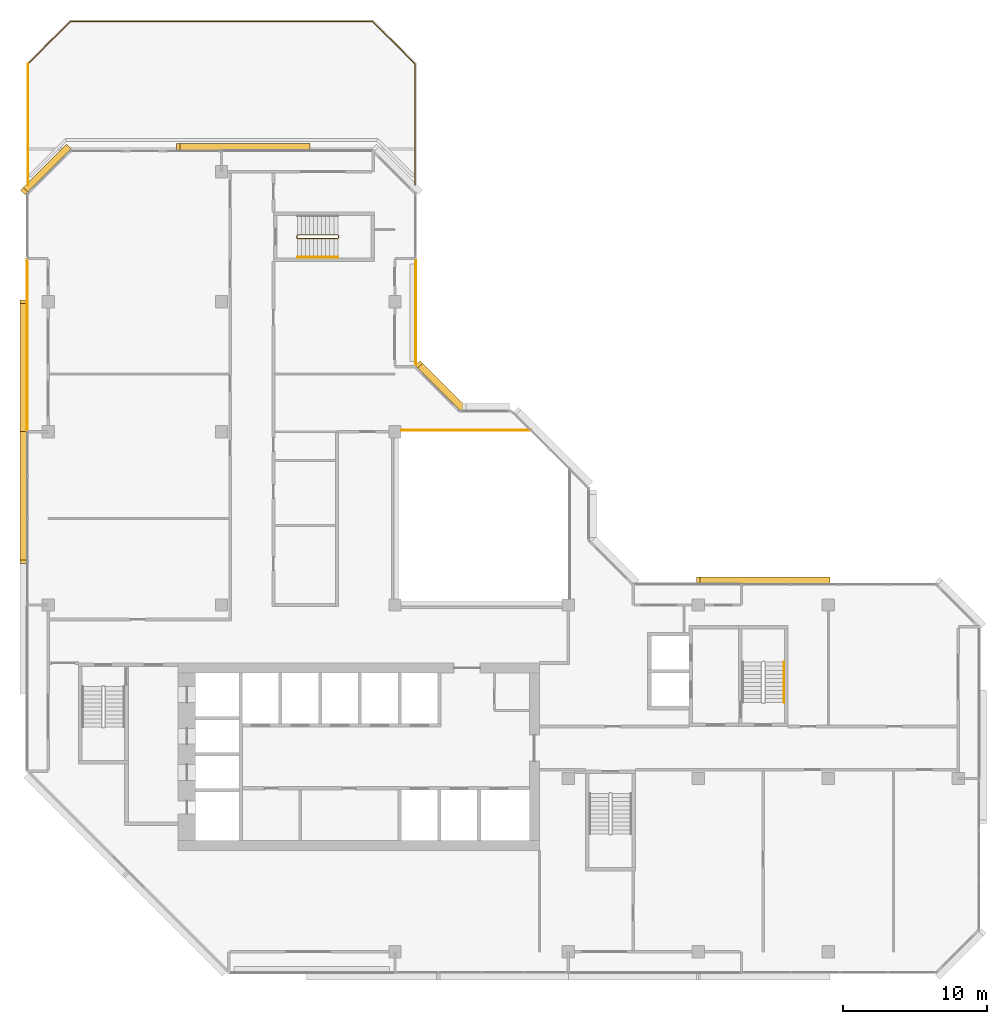
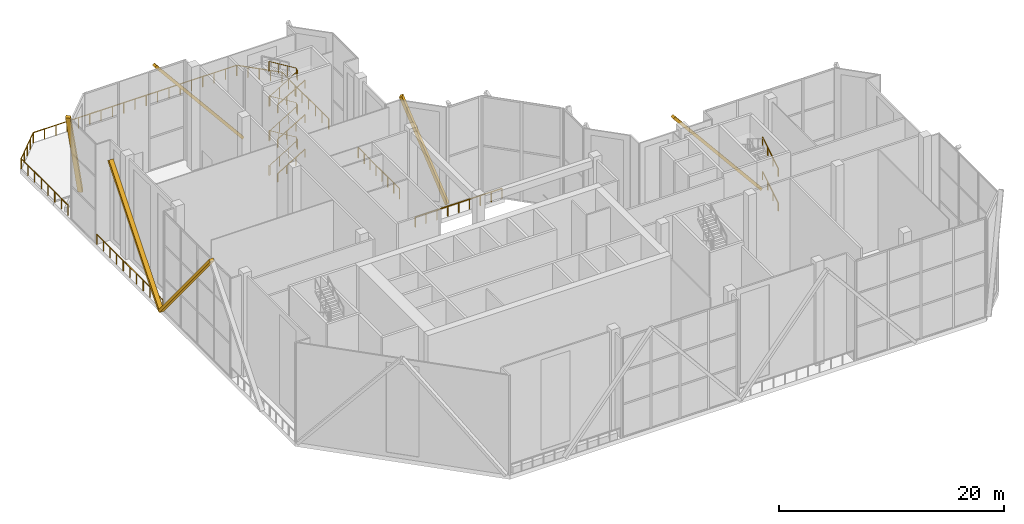
# One storey, part 17 of 18: 11 railings, 6 coverings.
"""IFC4 building model written with IfcOpenShell, lengths in metres."""

from ifc_helpers import new_model, si_unit, direction, frame, origin, origin_2d, place, context, subcontext, project, spatial, rectangle, extrude, material, material_profile, profile_set, type_object, element, save


model = new_model("IFC4")

# Units and contexts
model_context = context("Model", 3, precision=1e-05, world=origin(), true_north=direction((0.0, 1.0)))
body_context = subcontext(model_context, "Body", "Model", "MODEL_VIEW")
ifc_project = project(units=[si_unit("LENGTHUNIT", "METRE"), si_unit("AREAUNIT", "SQUARE_METRE"), si_unit("VOLUMEUNIT", "CUBIC_METRE"), si_unit("PLANEANGLEUNIT", "RADIAN"), si_unit("MASSUNIT", "GRAM", prefix="KILO")], contexts=[model_context])

# Site, building, storey
site_placement = place(None, origin())
site = spatial("IfcSite", under=ifc_project, at=site_placement, CompositionType="ELEMENT")
building_placement = place(site_placement, origin())
building = spatial("IfcBuilding", under=site, at=building_placement, Name="Chenar Terraces", CompositionType="ELEMENT")
storey_placement = place(building_placement, frame((0.0, 0.0, 262.14990234375)))
storey = spatial("IfcBuildingStorey", under=building, at=storey_placement, Name="L62", CompositionType="ELEMENT", Elevation=262.14990234375)

# Railings
ifc_material_1 = material(Name="Powder-coated steel", Category="steel")
railing_type_1 = type_object("IfcRailingType", Name="Guard 1100 steel rail with glass infill", PredefinedType="GUARDRAIL", material=ifc_material_1)
railing_1_placement = place(storey_placement, frame((24.47509765625, 36.10009765625, 0.0)))
element("IfcRailing", 1, at=railing_1_placement, inside=storey, type_object=railing_type_1, Name="Guard L62-2", PredefinedType="GUARDRAIL", context=body_context, shape_type="SweptSolid", body=[
    extrude(rectangle(XDim=0.06005859375, YDim=0.06005859375, at=origin_2d()), frame((0.0, 0.0, 1.070068359375), z_axis=(1.0, 0.0, 0.0), x_axis=(0.0, 1.0, 0.0)), (0.0, 0.0, 1.0), 8.9248046875),
    extrude(rectangle(XDim=0.050048828125, YDim=0.050048828125, at=origin_2d()), origin(), (0.0, 0.0, 1.0), 1.0400390625),
    extrude(rectangle(XDim=0.050048828125, YDim=0.050048828125, at=origin_2d()), frame((1.11572265625, 0.0, 0.0)), (0.0, 0.0, 1.0), 1.0400390625),
    extrude(rectangle(XDim=0.050048828125, YDim=0.050048828125, at=origin_2d()), frame((2.231201171875, 0.0, 0.0)), (0.0, 0.0, 1.0), 1.0400390625),
    extrude(rectangle(XDim=0.050048828125, YDim=0.050048828125, at=origin_2d()), frame((3.3466796875, 0.0, 0.0)), (0.0, 0.0, 1.0), 1.0400390625),
    extrude(rectangle(XDim=0.050048828125, YDim=0.050048828125, at=origin_2d()), frame((4.46240234375, 0.0, 0.0)), (0.0, 0.0, 1.0), 1.0400390625),
    extrude(rectangle(XDim=0.050048828125, YDim=0.050048828125, at=origin_2d()), frame((5.578125, 0.0, 0.0)), (0.0, 0.0, 1.0), 1.0400390625),
    extrude(rectangle(XDim=0.050048828125, YDim=0.050048828125, at=origin_2d()), frame((6.693603515625, 0.0, 0.0)), (0.0, 0.0, 1.0), 1.0400390625),
    extrude(rectangle(XDim=0.050048828125, YDim=0.050048828125, at=origin_2d()), frame((7.80908203125, 0.0, 0.0)), (0.0, 0.0, 1.0), 1.0400390625),
    extrude(rectangle(XDim=0.050048828125, YDim=0.050048828125, at=origin_2d()), frame((8.9248046875, 0.0, 0.0)), (0.0, 0.0, 1.0), 1.0400390625),
])
ifc_material_2 = material(Name="Stainless steel and glass", Category="steel")
railing_type_2 = type_object("IfcRailingType", Name="Loggia guard 1150", PredefinedType="GUARDRAIL", material=ifc_material_2)
railing_2_placement = place(storey_placement, frame((25.449951171875, 40.574951171875, 0.0)))
element("IfcRailing", 2, at=railing_2_placement, inside=storey, type_object=railing_type_2, Name="Loggia guard", PredefinedType="GUARDRAIL", context=body_context, shape_type="SweptSolid", body=[
    extrude(rectangle(XDim=0.048095703125, YDim=0.048095703125, at=origin_2d()), frame((0.0, 0.0, 1.1259765625), z_axis=(0.0, 1.0, 0.0), x_axis=(-1.0, 0.0, 0.0)), (0.0, 0.0, 1.0), 7.35009765625),
    extrude(rectangle(XDim=0.0419921875, YDim=0.0419921875, at=origin_2d()), origin(), (0.0, 0.0, 1.0), 1.101806640625),
    extrude(rectangle(XDim=0.0419921875, YDim=0.0419921875, at=origin_2d()), frame((0.0, 1.050048828125, 0.0)), (0.0, 0.0, 1.0), 1.101806640625),
    extrude(rectangle(XDim=0.0419921875, YDim=0.0419921875, at=origin_2d()), frame((0.0, 2.10009765625, 0.0)), (0.0, 0.0, 1.0), 1.101806640625),
    extrude(rectangle(XDim=0.0419921875, YDim=0.0419921875, at=origin_2d()), frame((0.0, 3.150146484375, 0.0)), (0.0, 0.0, 1.0), 1.101806640625),
    extrude(rectangle(XDim=0.0419921875, YDim=0.0419921875, at=origin_2d()), frame((0.0, 4.199951171875, 0.0)), (0.0, 0.0, 1.0), 1.101806640625),
    extrude(rectangle(XDim=0.0419921875, YDim=0.0419921875, at=origin_2d()), frame((0.0, 5.25, 0.0)), (0.0, 0.0, 1.0), 1.101806640625),
    extrude(rectangle(XDim=0.0419921875, YDim=0.0419921875, at=origin_2d()), frame((0.0, 6.300048828125, 0.0)), (0.0, 0.0, 1.0), 1.101806640625),
    extrude(rectangle(XDim=0.0419921875, YDim=0.0419921875, at=origin_2d()), frame((0.0, 7.35009765625, 0.0)), (0.0, 0.0, 1.0), 1.101806640625),
])
railing_3_placement = place(storey_placement, frame((-1.449951171875, 47.925048828125, 0.0)))
element("IfcRailing", 3, at=railing_3_placement, inside=storey, type_object=railing_type_2, Name="Loggia guard", PredefinedType="GUARDRAIL", context=body_context, shape_type="SweptSolid", body=[
    extrude(rectangle(XDim=0.048095703125, YDim=0.048095703125, at=origin_2d()), frame((0.0, 0.0, 1.1259765625), z_axis=(0.0, -1.0, 0.0), x_axis=(1.0, 0.0, 0.0)), (0.0, 0.0, 1.0), 11.85009765625),
    extrude(rectangle(XDim=0.0419921875, YDim=0.0419921875, at=origin_2d()), origin(), (0.0, 0.0, 1.0), 1.101806640625),
    extrude(rectangle(XDim=0.0419921875, YDim=0.0419921875, at=origin_2d()), frame((0.0, -1.18505859375, 0.0)), (0.0, 0.0, 1.0), 1.101806640625),
    extrude(rectangle(XDim=0.0419921875, YDim=0.0419921875, at=origin_2d()), frame((0.0, -2.3701171875, 0.0)), (0.0, 0.0, 1.0), 1.101806640625),
    extrude(rectangle(XDim=0.0419921875, YDim=0.0419921875, at=origin_2d()), frame((0.0, -3.554931640625, 0.0)), (0.0, 0.0, 1.0), 1.101806640625),
    extrude(rectangle(XDim=0.0419921875, YDim=0.0419921875, at=origin_2d()), frame((0.0, -4.739990234375, 0.0)), (0.0, 0.0, 1.0), 1.101806640625),
    extrude(rectangle(XDim=0.0419921875, YDim=0.0419921875, at=origin_2d()), frame((0.0, -5.925048828125, 0.0)), (0.0, 0.0, 1.0), 1.101806640625),
    extrude(rectangle(XDim=0.0419921875, YDim=0.0419921875, at=origin_2d()), frame((0.0, -7.110107421875, 0.0)), (0.0, 0.0, 1.0), 1.101806640625),
    extrude(rectangle(XDim=0.0419921875, YDim=0.0419921875, at=origin_2d()), frame((0.0, -8.295166015625, 0.0)), (0.0, 0.0, 1.0), 1.101806640625),
    extrude(rectangle(XDim=0.0419921875, YDim=0.0419921875, at=origin_2d()), frame((0.0, -9.47998046875, 0.0)), (0.0, 0.0, 1.0), 1.101806640625),
    extrude(rectangle(XDim=0.0419921875, YDim=0.0419921875, at=origin_2d()), frame((0.0, -10.6650390625, 0.0)), (0.0, 0.0, 1.0), 1.101806640625),
    extrude(rectangle(XDim=0.0419921875, YDim=0.0419921875, at=origin_2d()), frame((0.0, -11.85009765625, 0.0)), (0.0, 0.0, 1.0), 1.101806640625),
])
ifc_material_3 = material(Name="Powder-coated steel", Category="steel")
railing_type_3 = type_object("IfcRailingType", Name="Stair guard 1100", PredefinedType="GUARDRAIL", material=ifc_material_3)
railing_4_placement = place(storey_placement, frame((17.25, 49.625, 11.25)))
element("IfcRailing", 4, at=railing_4_placement, inside=storey, type_object=railing_type_3, Name="L62 ST4 stair guard 1", PredefinedType="GUARDRAIL", context=body_context, shape_type="SweptSolid", body=[
    extrude(rectangle(XDim=0.048095703125, YDim=0.048095703125, at=origin_2d()), frame((0.0, 0.0, 1.076171875), z_axis=(0.854202870247, 0.0, -0.519939858505), x_axis=(0.0, 1.0, 0.0)), (0.0, 0.0, 1.0), 3.278076171875),
    extrude(rectangle(XDim=0.048095703125, YDim=0.048095703125, at=origin_2d()), frame((2.800048828125, 0.0, -0.62841796875), z_axis=(0.270899902878, -0.270899902878, -0.923702595667), x_axis=(0.707106781187, 0.707106781187, 0.0)), (0.0, 0.0, 1.0), 0.184814453125),
    extrude(rectangle(XDim=0.048095703125, YDim=0.048095703125, at=origin_2d()), frame((2.85009765625, -0.050048828125, -0.798828125), z_axis=(0.0, -1.0, 0.0), x_axis=(1.0, 0.0, 0.0)), (0.0, 0.0, 1.0), 0.14990234375),
    extrude(rectangle(XDim=0.048095703125, YDim=0.048095703125, at=origin_2d()), frame((2.85009765625, -0.199951171875, -0.798828125), z_axis=(-0.707106781187, -0.707106781187, 0.0), x_axis=(0.707106781187, -0.707106781187, 0.0)), (0.0, 0.0, 1.0), 0.07080078125),
    extrude(rectangle(XDim=0.048095703125, YDim=0.048095703125, at=origin_2d()), frame((2.800048828125, -0.25, -0.798828125), z_axis=(-0.854202870247, 0.0, -0.519939858505), x_axis=(0.0, -1.0, 0.0)), (0.0, 0.0, 1.0), 3.278076171875),
    extrude(rectangle(XDim=0.048095703125, YDim=0.048095703125, at=origin_2d()), frame((0.0, -0.25, -2.50341796875), z_axis=(-0.187030483662, 0.747209590826, -0.637728332097), x_axis=(-0.970072785993, -0.242814311512, 0.0)), (0.0, 0.0, 1.0), 0.267578125),
    extrude(rectangle(XDim=0.048095703125, YDim=0.048095703125, at=origin_2d()), frame((-0.050048828125, -0.050048828125, -2.673828125), z_axis=(0.0, -1.0, 0.0), x_axis=(1.0, 0.0, 0.0)), (0.0, 0.0, 1.0), 0.14990234375),
    extrude(rectangle(XDim=0.048095703125, YDim=0.048095703125, at=origin_2d()), frame((-0.050048828125, -0.199951171875, -2.673828125), z_axis=(0.242814311512, 0.970072785993, 0.0), x_axis=(-0.970072785993, 0.242814311512, 0.0)), (0.0, 0.0, 1.0), 0.2060546875),
    extrude(rectangle(XDim=0.048095703125, YDim=0.048095703125, at=origin_2d()), frame((0.0, 0.0, -2.673828125), z_axis=(0.854202870247, 0.0, -0.519939858505), x_axis=(0.0, 1.0, 0.0)), (0.0, 0.0, 1.0), 3.278076171875),
    extrude(rectangle(XDim=0.048095703125, YDim=0.048095703125, at=origin_2d()), frame((2.800048828125, 0.0, -4.37841796875), z_axis=(0.270899902878, -0.270899902878, -0.923702595667), x_axis=(0.707106781187, 0.707106781187, 0.0)), (0.0, 0.0, 1.0), 0.184814453125),
    extrude(rectangle(XDim=0.048095703125, YDim=0.048095703125, at=origin_2d()), frame((2.85009765625, -0.050048828125, -4.548828125), z_axis=(0.0, -1.0, 0.0), x_axis=(1.0, 0.0, 0.0)), (0.0, 0.0, 1.0), 0.14990234375),
    extrude(rectangle(XDim=0.048095703125, YDim=0.048095703125, at=origin_2d()), frame((2.85009765625, -0.199951171875, -4.548828125), z_axis=(-0.707106781187, -0.707106781187, 0.0), x_axis=(0.707106781187, -0.707106781187, 0.0)), (0.0, 0.0, 1.0), 0.07080078125),
    extrude(rectangle(XDim=0.048095703125, YDim=0.048095703125, at=origin_2d()), frame((2.800048828125, -0.25, -4.548828125), z_axis=(-0.854202870247, 0.0, -0.519939858505), x_axis=(0.0, -1.0, 0.0)), (0.0, 0.0, 1.0), 3.278076171875),
    extrude(rectangle(XDim=0.048095703125, YDim=0.048095703125, at=origin_2d()), frame((0.0, -0.25, -6.25341796875), z_axis=(-0.187030483662, 0.747209590826, -0.637728332097), x_axis=(-0.970072785993, -0.242814311512, 0.0)), (0.0, 0.0, 1.0), 0.267578125),
    extrude(rectangle(XDim=0.048095703125, YDim=0.048095703125, at=origin_2d()), frame((-0.050048828125, -0.050048828125, -6.423828125), z_axis=(0.0, -1.0, 0.0), x_axis=(1.0, 0.0, 0.0)), (0.0, 0.0, 1.0), 0.14990234375),
    extrude(rectangle(XDim=0.048095703125, YDim=0.048095703125, at=origin_2d()), frame((-0.050048828125, -0.199951171875, -6.423828125), z_axis=(0.242814311512, 0.970072785993, 0.0), x_axis=(-0.970072785993, 0.242814311512, 0.0)), (0.0, 0.0, 1.0), 0.2060546875),
    extrude(rectangle(XDim=0.048095703125, YDim=0.048095703125, at=origin_2d()), frame((0.0, 0.0, -6.423828125), z_axis=(0.854202870247, 0.0, -0.519939858505), x_axis=(0.0, 1.0, 0.0)), (0.0, 0.0, 1.0), 3.278076171875),
    extrude(rectangle(XDim=0.048095703125, YDim=0.048095703125, at=origin_2d()), frame((2.800048828125, 0.0, -8.12841796875), z_axis=(0.270899902878, -0.270899902878, -0.923702595667), x_axis=(0.707106781187, 0.707106781187, 0.0)), (0.0, 0.0, 1.0), 0.184814453125),
    extrude(rectangle(XDim=0.048095703125, YDim=0.048095703125, at=origin_2d()), frame((2.85009765625, -0.050048828125, -8.298828125), z_axis=(0.0, -1.0, 0.0), x_axis=(1.0, 0.0, 0.0)), (0.0, 0.0, 1.0), 0.14990234375),
    extrude(rectangle(XDim=0.048095703125, YDim=0.048095703125, at=origin_2d()), frame((2.85009765625, -0.199951171875, -8.298828125), z_axis=(-0.707106781187, -0.707106781187, 0.0), x_axis=(0.707106781187, -0.707106781187, 0.0)), (0.0, 0.0, 1.0), 0.07080078125),
    extrude(rectangle(XDim=0.048095703125, YDim=0.048095703125, at=origin_2d()), frame((2.800048828125, -0.25, -8.298828125), z_axis=(-0.854202870247, 0.0, -0.519939858505), x_axis=(0.0, -1.0, 0.0)), (0.0, 0.0, 1.0), 3.278076171875),
    extrude(rectangle(XDim=0.048095703125, YDim=0.048095703125, at=origin_2d()), frame((0.0, -0.25, -10.00341796875), z_axis=(-0.270899902878, 0.270899902878, -0.923702595667), x_axis=(-0.707106781187, -0.707106781187, 0.0)), (0.0, 0.0, 1.0), 0.184814453125),
    extrude(rectangle(XDim=0.048095703125, YDim=0.048095703125, at=origin_2d()), frame((-0.050048828125, -0.199951171875, -10.173828125), z_axis=(0.0, 1.0, 0.0), x_axis=(-1.0, 0.0, 0.0)), (0.0, 0.0, 1.0), 0.14990234375),
    extrude(rectangle(XDim=0.0419921875, YDim=0.0419921875, at=origin_2d()), origin(), (0.0, 0.0, 1.0), 1.052001953125),
    extrude(rectangle(XDim=0.0419921875, YDim=0.0419921875, at=origin_2d()), frame((0.933349609375, 0.0, -0.568115234375)), (0.0, 0.0, 1.0), 1.052001953125),
    extrude(rectangle(XDim=0.0419921875, YDim=0.0419921875, at=origin_2d()), frame((1.86669921875, 0.0, -1.13623046875)), (0.0, 0.0, 1.0), 1.052001953125),
    extrude(rectangle(XDim=0.0419921875, YDim=0.0419921875, at=origin_2d()), frame((2.800048828125, 0.0, -1.704345703125)), (0.0, 0.0, 1.0), 1.052001953125),
    extrude(rectangle(XDim=0.0419921875, YDim=0.0419921875, at=origin_2d()), frame((2.85009765625, -0.050048828125, -1.875)), (0.0, 0.0, 1.0), 1.052001953125),
    extrude(rectangle(XDim=0.0419921875, YDim=0.0419921875, at=origin_2d()), frame((2.85009765625, -0.199951171875, -1.875)), (0.0, 0.0, 1.0), 1.052001953125),
    extrude(rectangle(XDim=0.0419921875, YDim=0.0419921875, at=origin_2d()), frame((2.800048828125, -0.25, -1.875)), (0.0, 0.0, 1.0), 1.052001953125),
    extrude(rectangle(XDim=0.0419921875, YDim=0.0419921875, at=origin_2d()), frame((1.86669921875, -0.25, -2.443115234375)), (0.0, 0.0, 1.0), 1.052001953125),
    extrude(rectangle(XDim=0.0419921875, YDim=0.0419921875, at=origin_2d()), frame((0.933349609375, -0.25, -3.01123046875)), (0.0, 0.0, 1.0), 1.052001953125),
    extrude(rectangle(XDim=0.0419921875, YDim=0.0419921875, at=origin_2d()), frame((0.0, -0.25, -3.579345703125)), (0.0, 0.0, 1.0), 1.052001953125),
    extrude(rectangle(XDim=0.0419921875, YDim=0.0419921875, at=origin_2d()), frame((-0.050048828125, -0.050048828125, -3.75)), (0.0, 0.0, 1.0), 1.052001953125),
    extrude(rectangle(XDim=0.0419921875, YDim=0.0419921875, at=origin_2d()), frame((-0.050048828125, -0.199951171875, -3.75)), (0.0, 0.0, 1.0), 1.052001953125),
    extrude(rectangle(XDim=0.0419921875, YDim=0.0419921875, at=origin_2d()), frame((0.0, 0.0, -3.75)), (0.0, 0.0, 1.0), 1.052001953125),
    extrude(rectangle(XDim=0.0419921875, YDim=0.0419921875, at=origin_2d()), frame((0.933349609375, 0.0, -4.318115234375)), (0.0, 0.0, 1.0), 1.052001953125),
    extrude(rectangle(XDim=0.0419921875, YDim=0.0419921875, at=origin_2d()), frame((1.86669921875, 0.0, -4.88623046875)), (0.0, 0.0, 1.0), 1.052001953125),
    extrude(rectangle(XDim=0.0419921875, YDim=0.0419921875, at=origin_2d()), frame((2.800048828125, 0.0, -5.454345703125)), (0.0, 0.0, 1.0), 1.052001953125),
    extrude(rectangle(XDim=0.0419921875, YDim=0.0419921875, at=origin_2d()), frame((2.85009765625, -0.050048828125, -5.625)), (0.0, 0.0, 1.0), 1.052001953125),
    extrude(rectangle(XDim=0.0419921875, YDim=0.0419921875, at=origin_2d()), frame((2.85009765625, -0.199951171875, -5.625)), (0.0, 0.0, 1.0), 1.052001953125),
    extrude(rectangle(XDim=0.0419921875, YDim=0.0419921875, at=origin_2d()), frame((2.800048828125, -0.25, -5.625)), (0.0, 0.0, 1.0), 1.052001953125),
    extrude(rectangle(XDim=0.0419921875, YDim=0.0419921875, at=origin_2d()), frame((1.86669921875, -0.25, -6.193115234375)), (0.0, 0.0, 1.0), 1.052001953125),
    extrude(rectangle(XDim=0.0419921875, YDim=0.0419921875, at=origin_2d()), frame((0.933349609375, -0.25, -6.76123046875)), (0.0, 0.0, 1.0), 1.052001953125),
    extrude(rectangle(XDim=0.0419921875, YDim=0.0419921875, at=origin_2d()), frame((0.0, -0.25, -7.329345703125)), (0.0, 0.0, 1.0), 1.052001953125),
    extrude(rectangle(XDim=0.0419921875, YDim=0.0419921875, at=origin_2d()), frame((-0.050048828125, -0.050048828125, -7.5)), (0.0, 0.0, 1.0), 1.052001953125),
    extrude(rectangle(XDim=0.0419921875, YDim=0.0419921875, at=origin_2d()), frame((-0.050048828125, -0.199951171875, -7.5)), (0.0, 0.0, 1.0), 1.052001953125),
    extrude(rectangle(XDim=0.0419921875, YDim=0.0419921875, at=origin_2d()), frame((0.0, 0.0, -7.5)), (0.0, 0.0, 1.0), 1.052001953125),
    extrude(rectangle(XDim=0.0419921875, YDim=0.0419921875, at=origin_2d()), frame((0.933349609375, 0.0, -8.068115234375)), (0.0, 0.0, 1.0), 1.052001953125),
    extrude(rectangle(XDim=0.0419921875, YDim=0.0419921875, at=origin_2d()), frame((1.86669921875, 0.0, -8.63623046875)), (0.0, 0.0, 1.0), 1.052001953125),
    extrude(rectangle(XDim=0.0419921875, YDim=0.0419921875, at=origin_2d()), frame((2.800048828125, 0.0, -9.204345703125)), (0.0, 0.0, 1.0), 1.052001953125),
    extrude(rectangle(XDim=0.0419921875, YDim=0.0419921875, at=origin_2d()), frame((2.85009765625, -0.050048828125, -9.375)), (0.0, 0.0, 1.0), 1.052001953125),
    extrude(rectangle(XDim=0.0419921875, YDim=0.0419921875, at=origin_2d()), frame((2.85009765625, -0.199951171875, -9.375)), (0.0, 0.0, 1.0), 1.052001953125),
    extrude(rectangle(XDim=0.0419921875, YDim=0.0419921875, at=origin_2d()), frame((2.800048828125, -0.25, -9.375)), (0.0, 0.0, 1.0), 1.052001953125),
    extrude(rectangle(XDim=0.0419921875, YDim=0.0419921875, at=origin_2d()), frame((1.86669921875, -0.25, -9.943115234375)), (0.0, 0.0, 1.0), 1.052001953125),
    extrude(rectangle(XDim=0.0419921875, YDim=0.0419921875, at=origin_2d()), frame((0.933349609375, -0.25, -10.51123046875)), (0.0, 0.0, 1.0), 1.052001953125),
    extrude(rectangle(XDim=0.0419921875, YDim=0.0419921875, at=origin_2d()), frame((0.0, -0.25, -11.079345703125)), (0.0, 0.0, 1.0), 1.052001953125),
    extrude(rectangle(XDim=0.0419921875, YDim=0.0419921875, at=origin_2d()), frame((-0.050048828125, -0.199951171875, -11.25)), (0.0, 0.0, 1.0), 1.052001953125),
    extrude(rectangle(XDim=0.0419921875, YDim=0.0419921875, at=origin_2d()), frame((-0.050048828125, -0.050048828125, -11.25)), (0.0, 0.0, 1.0), 1.052001953125),
])
ifc_material_4 = material(Name="Powder-coated steel", Category="steel")
railing_type_4 = type_object("IfcRailingType", Name="Stair handrail 900", PredefinedType="HANDRAIL", material=ifc_material_4)
for number, where, name in (
    (5, (50.925048828125, 17.25, 3.920654296875), "L62 ST3 stair handrail 3"),
    (6, (50.925048828125, 17.25, 7.670654296875), "L62 ST3 stair handrail 5"),
):
    element("IfcRailing", number, at=place(storey_placement, frame(where)), inside=storey, type_object=railing_type_4, Name=name, PredefinedType="HANDRAIL", context=body_context, shape_type="SweptSolid", body=[
        extrude(rectangle(XDim=0.048095703125, YDim=0.048095703125, at=origin_2d()), frame((0.0, 0.0, 0.8759765625), z_axis=(0.0, 0.854202870247, 0.519939858505), x_axis=(-1.0, 0.0, 0.0)), (0.0, 0.0, 1.0), 3.278076171875),
        extrude(rectangle(XDim=0.0419921875, YDim=0.0419921875, at=origin_2d()), origin(), (0.0, 0.0, 1.0), 0.851806640625),
        extrude(rectangle(XDim=0.0419921875, YDim=0.0419921875, at=origin_2d()), frame((0.0, 0.933349609375, 0.568115234375)), (0.0, 0.0, 1.0), 0.851806640625),
        extrude(rectangle(XDim=0.0419921875, YDim=0.0419921875, at=origin_2d()), frame((0.0, 1.86669921875, 1.13623046875)), (0.0, 0.0, 1.0), 0.851806640625),
        extrude(rectangle(XDim=0.0419921875, YDim=0.0419921875, at=origin_2d()), frame((0.0, 2.800048828125, 1.704345703125)), (0.0, 0.0, 1.0), 0.851806640625),
    ])
for number, where, name in (
    (7, (17.25, 48.074951171875, 0.170654296875), "L62 ST4 stair handrail 1"),
    (8, (17.25, 48.074951171875, 3.920654296875), "L62 ST4 stair handrail 3"),
    (9, (17.25, 48.074951171875, 7.670654296875), "L62 ST4 stair handrail 5"),
):
    element("IfcRailing", number, at=place(storey_placement, frame(where)), inside=storey, type_object=railing_type_4, Name=name, PredefinedType="HANDRAIL", context=body_context, shape_type="SweptSolid", body=[
        extrude(rectangle(XDim=0.048095703125, YDim=0.048095703125, at=origin_2d()), frame((0.0, 0.0, 0.8759765625), z_axis=(0.854202870247, 0.0, 0.519939858505), x_axis=(0.0, 1.0, 0.0)), (0.0, 0.0, 1.0), 3.278076171875),
        extrude(rectangle(XDim=0.0419921875, YDim=0.0419921875, at=origin_2d()), origin(), (0.0, 0.0, 1.0), 0.851806640625),
        extrude(rectangle(XDim=0.0419921875, YDim=0.0419921875, at=origin_2d()), frame((0.933349609375, 0.0, 0.568115234375)), (0.0, 0.0, 1.0), 0.851806640625),
        extrude(rectangle(XDim=0.0419921875, YDim=0.0419921875, at=origin_2d()), frame((1.86669921875, 0.0, 1.13623046875)), (0.0, 0.0, 1.0), 0.851806640625),
        extrude(rectangle(XDim=0.0419921875, YDim=0.0419921875, at=origin_2d()), frame((2.800048828125, 0.0, 1.704345703125)), (0.0, 0.0, 1.0), 0.851806640625),
    ])
ifc_material_5 = material(Name="Stainless steel and glass", Category="steel")
railing_type_5 = type_object("IfcRailingType", Name="Terrace guard 1150", PredefinedType="GUARDRAIL", material=ifc_material_5)
railing_5_placement = place(storey_placement, frame((-1.39990234375, 61.45849609375, 0.0)))
element("IfcRailing", 10, at=railing_5_placement, inside=storey, type_object=railing_type_5, Name="Terrace guard", PredefinedType="GUARDRAIL", context=body_context, shape_type="SweptSolid", body=[
    extrude(rectangle(XDim=0.048095703125, YDim=0.048095703125, at=origin_2d()), frame((0.0, 0.0, 1.1259765625), z_axis=(0.707106781187, 0.707106781187, 0.0), x_axis=(-0.707106781187, 0.707106781187, 0.0)), (0.0, 0.0, 1.0), 4.15966796875),
    extrude(rectangle(XDim=0.048095703125, YDim=0.048095703125, at=origin_2d()), frame((2.94140625, 2.94140625, 1.1259765625), z_axis=(1.0, 0.0, 0.0), x_axis=(0.0, 1.0, 0.0)), (0.0, 0.0, 1.0), 20.9169921875),
    extrude(rectangle(XDim=0.048095703125, YDim=0.048095703125, at=origin_2d()), frame((23.8583984375, 2.94140625, 1.1259765625), z_axis=(0.707106781187, -0.707106781187, 0.0), x_axis=(0.707106781187, 0.707106781187, 0.0)), (0.0, 0.0, 1.0), 4.15966796875),
    extrude(rectangle(XDim=0.048095703125, YDim=0.048095703125, at=origin_2d()), frame((26.7998046875, 0.0, 1.1259765625), z_axis=(0.0, -1.0, 0.0), x_axis=(1.0, 0.0, 0.0)), (0.0, 0.0, 1.0), 8.363525390625),
    extrude(rectangle(XDim=0.0419921875, YDim=0.0419921875, at=origin_2d()), origin(), (0.0, 0.0, 1.0), 1.101806640625),
    extrude(rectangle(XDim=0.0419921875, YDim=0.0419921875, at=origin_2d()), frame((0.7353515625, 0.7353515625, 0.0)), (0.0, 0.0, 1.0), 1.101806640625),
    extrude(rectangle(XDim=0.0419921875, YDim=0.0419921875, at=origin_2d()), frame((1.470703125, 1.470703125, 0.0)), (0.0, 0.0, 1.0), 1.101806640625),
    extrude(rectangle(XDim=0.0419921875, YDim=0.0419921875, at=origin_2d()), frame((2.2060546875, 2.2060546875, 0.0)), (0.0, 0.0, 1.0), 1.101806640625),
    extrude(rectangle(XDim=0.0419921875, YDim=0.0419921875, at=origin_2d()), frame((2.94140625, 2.94140625, 0.0)), (0.0, 0.0, 1.0), 1.101806640625),
    extrude(rectangle(XDim=0.0419921875, YDim=0.0419921875, at=origin_2d()), frame((4.103515625, 2.94140625, 0.0)), (0.0, 0.0, 1.0), 1.101806640625),
    extrude(rectangle(XDim=0.0419921875, YDim=0.0419921875, at=origin_2d()), frame((5.265625, 2.94140625, 0.0)), (0.0, 0.0, 1.0), 1.101806640625),
    extrude(rectangle(XDim=0.0419921875, YDim=0.0419921875, at=origin_2d()), frame((6.427490234375, 2.94140625, 0.0)), (0.0, 0.0, 1.0), 1.101806640625),
    extrude(rectangle(XDim=0.0419921875, YDim=0.0419921875, at=origin_2d()), frame((7.589599609375, 2.94140625, 0.0)), (0.0, 0.0, 1.0), 1.101806640625),
    extrude(rectangle(XDim=0.0419921875, YDim=0.0419921875, at=origin_2d()), frame((8.751708984375, 2.94140625, 0.0)), (0.0, 0.0, 1.0), 1.101806640625),
    extrude(rectangle(XDim=0.0419921875, YDim=0.0419921875, at=origin_2d()), frame((9.913818359375, 2.94140625, 0.0)), (0.0, 0.0, 1.0), 1.101806640625),
    extrude(rectangle(XDim=0.0419921875, YDim=0.0419921875, at=origin_2d()), frame((11.07568359375, 2.94140625, 0.0)), (0.0, 0.0, 1.0), 1.101806640625),
    extrude(rectangle(XDim=0.0419921875, YDim=0.0419921875, at=origin_2d()), frame((12.23779296875, 2.94140625, 0.0)), (0.0, 0.0, 1.0), 1.101806640625),
    extrude(rectangle(XDim=0.0419921875, YDim=0.0419921875, at=origin_2d()), frame((13.39990234375, 2.94140625, 0.0)), (0.0, 0.0, 1.0), 1.101806640625),
    extrude(rectangle(XDim=0.0419921875, YDim=0.0419921875, at=origin_2d()), frame((14.56201171875, 2.94140625, 0.0)), (0.0, 0.0, 1.0), 1.101806640625),
    extrude(rectangle(XDim=0.0419921875, YDim=0.0419921875, at=origin_2d()), frame((15.72412109375, 2.94140625, 0.0)), (0.0, 0.0, 1.0), 1.101806640625),
    extrude(rectangle(XDim=0.0419921875, YDim=0.0419921875, at=origin_2d()), frame((16.885986328125, 2.94140625, 0.0)), (0.0, 0.0, 1.0), 1.101806640625),
    extrude(rectangle(XDim=0.0419921875, YDim=0.0419921875, at=origin_2d()), frame((18.048095703125, 2.94140625, 0.0)), (0.0, 0.0, 1.0), 1.101806640625),
    extrude(rectangle(XDim=0.0419921875, YDim=0.0419921875, at=origin_2d()), frame((19.210205078125, 2.94140625, 0.0)), (0.0, 0.0, 1.0), 1.101806640625),
    extrude(rectangle(XDim=0.0419921875, YDim=0.0419921875, at=origin_2d()), frame((20.372314453125, 2.94140625, 0.0)), (0.0, 0.0, 1.0), 1.101806640625),
    extrude(rectangle(XDim=0.0419921875, YDim=0.0419921875, at=origin_2d()), frame((21.5341796875, 2.94140625, 0.0)), (0.0, 0.0, 1.0), 1.101806640625),
    extrude(rectangle(XDim=0.0419921875, YDim=0.0419921875, at=origin_2d()), frame((22.6962890625, 2.94140625, 0.0)), (0.0, 0.0, 1.0), 1.101806640625),
    extrude(rectangle(XDim=0.0419921875, YDim=0.0419921875, at=origin_2d()), frame((23.8583984375, 2.94140625, 0.0)), (0.0, 0.0, 1.0), 1.101806640625),
    extrude(rectangle(XDim=0.0419921875, YDim=0.0419921875, at=origin_2d()), frame((24.59375, 2.2060546875, 0.0)), (0.0, 0.0, 1.0), 1.101806640625),
    extrude(rectangle(XDim=0.0419921875, YDim=0.0419921875, at=origin_2d()), frame((25.3291015625, 1.470703125, 0.0)), (0.0, 0.0, 1.0), 1.101806640625),
    extrude(rectangle(XDim=0.0419921875, YDim=0.0419921875, at=origin_2d()), frame((26.064453125, 0.7353515625, 0.0)), (0.0, 0.0, 1.0), 1.101806640625),
    extrude(rectangle(XDim=0.0419921875, YDim=0.0419921875, at=origin_2d()), frame((26.7998046875, 0.0, 0.0)), (0.0, 0.0, 1.0), 1.101806640625),
    extrude(rectangle(XDim=0.0419921875, YDim=0.0419921875, at=origin_2d()), frame((26.7998046875, -1.19482421875, 0.0)), (0.0, 0.0, 1.0), 1.101806640625),
    extrude(rectangle(XDim=0.0419921875, YDim=0.0419921875, at=origin_2d()), frame((26.7998046875, -2.3896484375, 0.0)), (0.0, 0.0, 1.0), 1.101806640625),
    extrude(rectangle(XDim=0.0419921875, YDim=0.0419921875, at=origin_2d()), frame((26.7998046875, -3.58447265625, 0.0)), (0.0, 0.0, 1.0), 1.101806640625),
    extrude(rectangle(XDim=0.0419921875, YDim=0.0419921875, at=origin_2d()), frame((26.7998046875, -4.779052734375, 0.0)), (0.0, 0.0, 1.0), 1.101806640625),
    extrude(rectangle(XDim=0.0419921875, YDim=0.0419921875, at=origin_2d()), frame((26.7998046875, -5.973876953125, 0.0)), (0.0, 0.0, 1.0), 1.101806640625),
    extrude(rectangle(XDim=0.0419921875, YDim=0.0419921875, at=origin_2d()), frame((26.7998046875, -7.168701171875, 0.0)), (0.0, 0.0, 1.0), 1.101806640625),
    extrude(rectangle(XDim=0.0419921875, YDim=0.0419921875, at=origin_2d()), frame((26.7998046875, -8.363525390625, 0.0)), (0.0, 0.0, 1.0), 1.101806640625),
])
railing_6_placement = place(storey_placement, frame((-1.39990234375, 53.094970703125, 0.0)))
element("IfcRailing", 11, at=railing_6_placement, inside=storey, type_object=railing_type_5, Name="Terrace guard", PredefinedType="GUARDRAIL", context=body_context, shape_type="SweptSolid", body=[
    extrude(rectangle(XDim=0.048095703125, YDim=0.048095703125, at=origin_2d()), frame((0.0, 0.0, 1.1259765625), z_axis=(0.0, 1.0, 0.0), x_axis=(-1.0, 0.0, 0.0)), (0.0, 0.0, 1.0), 8.363525390625),
    extrude(rectangle(XDim=0.0419921875, YDim=0.0419921875, at=origin_2d()), origin(), (0.0, 0.0, 1.0), 1.101806640625),
    extrude(rectangle(XDim=0.0419921875, YDim=0.0419921875, at=origin_2d()), frame((0.0, 1.19482421875, 0.0)), (0.0, 0.0, 1.0), 1.101806640625),
    extrude(rectangle(XDim=0.0419921875, YDim=0.0419921875, at=origin_2d()), frame((0.0, 2.3896484375, 0.0)), (0.0, 0.0, 1.0), 1.101806640625),
    extrude(rectangle(XDim=0.0419921875, YDim=0.0419921875, at=origin_2d()), frame((0.0, 3.58447265625, 0.0)), (0.0, 0.0, 1.0), 1.101806640625),
    extrude(rectangle(XDim=0.0419921875, YDim=0.0419921875, at=origin_2d()), frame((0.0, 4.779052734375, 0.0)), (0.0, 0.0, 1.0), 1.101806640625),
    extrude(rectangle(XDim=0.0419921875, YDim=0.0419921875, at=origin_2d()), frame((0.0, 5.973876953125, 0.0)), (0.0, 0.0, 1.0), 1.101806640625),
    extrude(rectangle(XDim=0.0419921875, YDim=0.0419921875, at=origin_2d()), frame((0.0, 7.168701171875, 0.0)), (0.0, 0.0, 1.0), 1.101806640625),
    extrude(rectangle(XDim=0.0419921875, YDim=0.0419921875, at=origin_2d()), frame((0.0, 8.363525390625, 0.0)), (0.0, 0.0, 1.0), 1.101806640625),
])

# Coverings
ifc_material_6 = material(Name="Terracotta", Category="masonry")
ifc_material_profile = material_profile(ifc_material_6, rectangle(XDim=0.449951171875, YDim=0.280029296875, at=origin_2d()), Name="Terracotta baguette 450 x 280")
ifc_profile_set = profile_set([ifc_material_profile], Name="Terracotta")
covering_type = type_object("IfcCoveringType", Name="Terracotta baguette 450 x 280", PredefinedType="CLADDING", material=ifc_profile_set)
covering_1_placement = place(storey_placement, frame((54.0, 25.72509765625, 0.150146484375), z_axis=(-0.634966765532, 0.0, 0.772539453148), x_axis=(0.0, -1.0, 0.0)))
element("IfcCovering", 12, at=covering_1_placement, inside=storey, type_object=covering_type, Name="Terracotta baguette", PredefinedType="CLADDING", context=body_context, shape_type="SweptSolid", body=[
    extrude(rectangle(XDim=0.449951171875, YDim=0.280029296875, at=origin_2d()), origin(), (0.0, 0.0, 1.0), 14.174072265625),
])
covering_2_placement = place(storey_placement, frame((28.6591796875, 37.6591796875, 0.150146484375), z_axis=(-0.255468212233, 0.255468212233, 0.932454816641), x_axis=(-0.707106781187, -0.707106781187, 0.0)))
element("IfcCovering", 13, at=covering_2_placement, inside=storey, type_object=covering_type, Name="Terracotta baguette", PredefinedType="CLADDING", context=body_context, shape_type="SweptSolid", body=[
    extrude(rectangle(XDim=0.449951171875, YDim=0.280029296875, at=origin_2d()), origin(), (0.0, 0.0, 1.0), 11.7431640625),
])
covering_3_placement = place(storey_placement, frame((18.0, 55.72509765625, 0.150146484375), z_axis=(-0.634966765532, 0.0, 0.772539453148), x_axis=(0.0, -1.0, 0.0)))
element("IfcCovering", 14, at=covering_3_placement, inside=storey, type_object=covering_type, Name="Terracotta baguette", PredefinedType="CLADDING", context=body_context, shape_type="SweptSolid", body=[
    extrude(rectangle(XDim=0.449951171875, YDim=0.280029296875, at=origin_2d()), origin(), (0.0, 0.0, 1.0), 14.174072265625),
])
covering_4_placement = place(storey_placement, frame((1.3408203125, 55.6591796875, 0.150146484375), z_axis=(-0.255468212233, -0.255468212233, 0.932454816641), x_axis=(0.707106781187, -0.707106781187, 0.0)))
element("IfcCovering", 15, at=covering_4_placement, inside=storey, type_object=covering_type, Name="Terracotta baguette", PredefinedType="CLADDING", context=body_context, shape_type="SweptSolid", body=[
    extrude(rectangle(XDim=0.449951171875, YDim=0.280029296875, at=origin_2d()), origin(), (0.0, 0.0, 1.0), 11.7431640625),
])
for number, where, z_axis, x_axis, name in (
    (16, (-1.72509765625, 45.0, 11.10009765625), (0.0, -0.634966765532, -0.772539453148), (1.0, 0.0, 0.0), "Terracotta baguette"),
    (17, (-1.72509765625, 36.0, 0.150146484375), (0.0, -0.634966765532, 0.772539453148), (1.0, 0.0, 0.0), "Terracotta baguette"),
):
    element("IfcCovering", number, at=place(storey_placement, frame(where, z_axis=z_axis, x_axis=x_axis)), inside=storey, type_object=covering_type, Name=name, PredefinedType="CLADDING", context=body_context, shape_type="SweptSolid", body=[
        extrude(rectangle(XDim=0.449951171875, YDim=0.280029296875, at=origin_2d()), origin(), (0.0, 0.0, 1.0), 14.174072265625),
    ])

save(model, "model.ifc")
